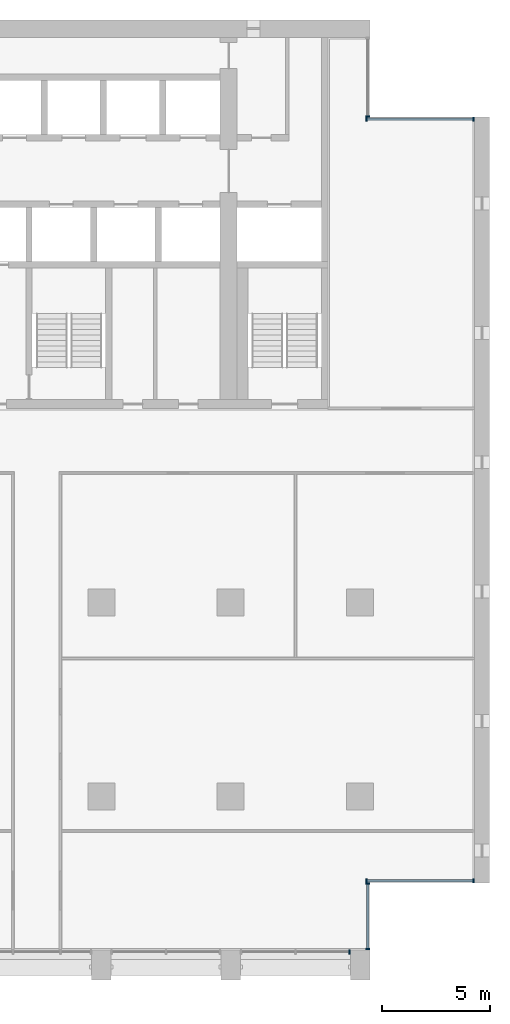
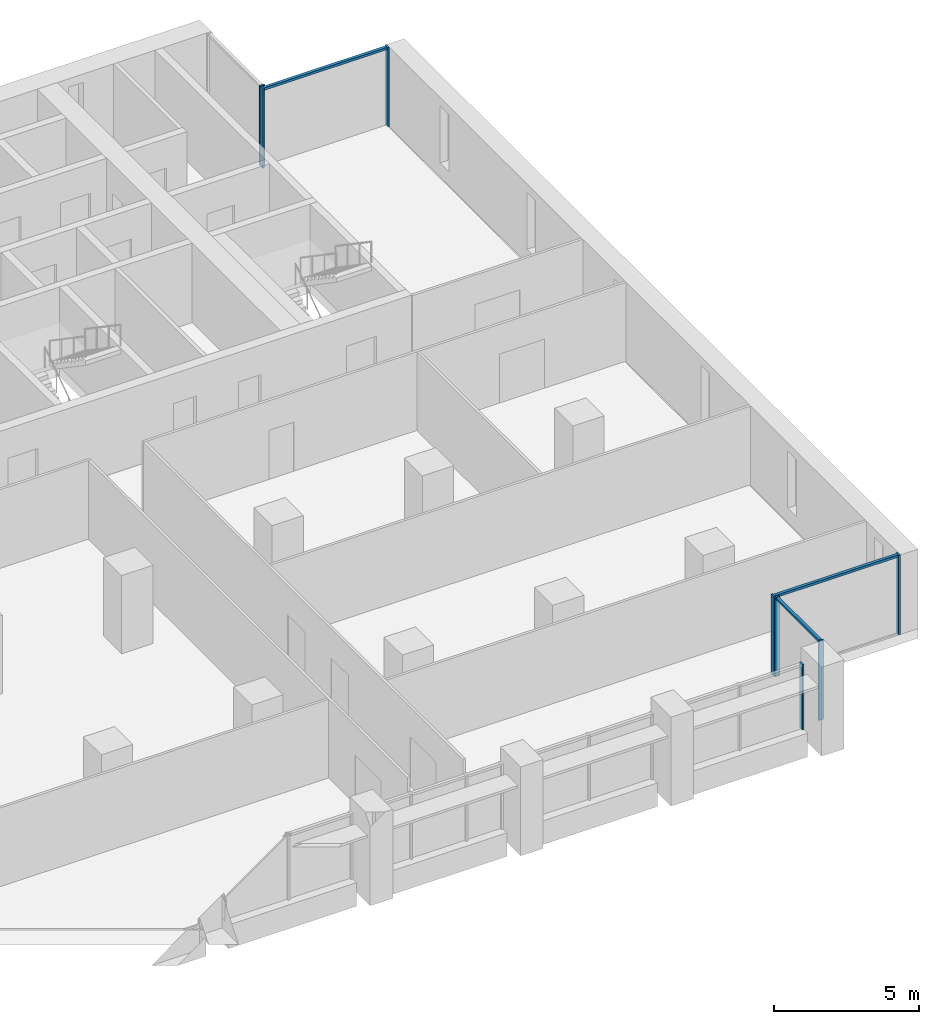
# One storey, part 5 of 16: 11 members, 5 elements without a shape of their own.
"""IFC4 building model written with IfcOpenShell, lengths in metres."""

import ifcopenshell
import ifcopenshell.guid

model = None  # the IFC model being written
_history = None  # IfcOwnerHistory: only IFC2X3 demands one
_inside = {}  # id of a spatial element -> (the spatial element, [elements in it])
_under = {}  # id of a project, library or spatial element -> (it, [spatial elements below it])
_declared = {}  # id of a project -> (the project, [libraries it declares])
_typed = {}  # id of a type object -> (the type object, [elements of that type])
_made_of = {}  # id of a material, layer set ... -> (it, [elements and type objects made of it])


def new_model(schema):
    """Start an empty IFC model of exactly this schema.

    Asked for "IFC4X3", IfcOpenShell would pick the latest addendum, in which some entities
    have other attributes; the version numbers below select the first issue.
    IFC2X3 requires an IfcOwnerHistory on every rooted entity: one is made here for all.
    """
    global model, _history
    if schema == "IFC4X3":
        model = ifcopenshell.file(schema_version=(4, 3, 0, 0))
    else:
        model = ifcopenshell.file(schema=schema)
    _inside.clear()
    _under.clear()
    _declared.clear()
    _typed.clear()
    _made_of.clear()
    _history = None
    if model.schema == "IFC2X3":
        org = make("IfcOrganization", Name="unknown")
        user = make(
            "IfcPersonAndOrganization",
            ThePerson=make("IfcPerson", FamilyName="unknown"),
            TheOrganization=org,
        )
        app = make(
            "IfcApplication",
            ApplicationDeveloper=org,
            Version="unknown",
            ApplicationFullName="unknown",
            ApplicationIdentifier="unknown",
        )
        _history = make(
            "IfcOwnerHistory",
            OwningUser=user,
            OwningApplication=app,
            ChangeAction="ADDED",
            CreationDate=0,
        )
    return model


def make(cls, **values):
    """One entity of the class cls with the attributes given. An attribute that is None is left unset."""
    return model.create_entity(
        cls, **{name: value for name, value in values.items() if value is not None}
    )


def rooted(cls, **values):
    """An entity with a GlobalId (a new one), such as an element, a storey or a relation."""
    return make(cls, GlobalId=ifcopenshell.guid.new(), OwnerHistory=_history, **values)


def si_unit(unit_type, name, prefix=None):
    """IfcSIUnit, for example si_unit("LENGTHUNIT", "METRE", prefix="MILLI")."""
    return make("IfcSIUnit", UnitType=unit_type, Prefix=prefix, Name=name)


def assignment(units):
    """IfcUnitAssignment: the units of a project."""
    return None if units is None else make("IfcUnitAssignment", Units=units)


def point(xyz):
    """IfcCartesianPoint."""
    return None if xyz is None else make("IfcCartesianPoint", Coordinates=xyz)


def direction(xyz):
    """IfcDirection."""
    return None if xyz is None else make("IfcDirection", DirectionRatios=xyz)


def frame(location, z_axis=None, x_axis=None):
    """IfcAxis2Placement3D, a coordinate frame: its origin and axes. An axis left out is left unset."""
    return make(
        "IfcAxis2Placement3D",
        Location=point(location),
        Axis=direction(z_axis),
        RefDirection=direction(x_axis),
    )


def frame_2d(location, x_axis=None):
    """IfcAxis2Placement2D, a coordinate frame in the plane: its origin and x axis."""
    return make(
        "IfcAxis2Placement2D", Location=point(location), RefDirection=direction(x_axis)
    )


def origin():
    """The frame at (0, 0, 0) with its axes left unset."""
    return frame((0.0, 0.0, 0.0))


def origin_2d():
    """The frame at (0, 0) in the plane with its x axis left unset."""
    return frame_2d((0.0, 0.0))


def place(relative_to, where):
    """IfcLocalPlacement: puts the frame where relative to a parent placement (None: the world)."""
    return make(
        "IfcLocalPlacement", PlacementRelTo=relative_to, RelativePlacement=where
    )


def context(
    kind, dimensions, precision=None, world=None, true_north=None, identifier=None
):
    """IfcGeometricRepresentationContext, for example the 3D "Model" context."""
    return make(
        "IfcGeometricRepresentationContext",
        ContextIdentifier=identifier,
        ContextType=kind,
        CoordinateSpaceDimension=dimensions,
        Precision=precision,
        WorldCoordinateSystem=world,
        TrueNorth=true_north,
    )


def subcontext(parent, identifier, kind, view, scale=None):
    """IfcGeometricRepresentationSubContext, for example "Body" below "Model"."""
    return make(
        "IfcGeometricRepresentationSubContext",
        ContextIdentifier=identifier,
        ContextType=kind,
        ParentContext=parent,
        TargetScale=scale,
        TargetView=view,
    )


def project(units=None, contexts=None):
    """IfcProject with its units and contexts."""
    return rooted(
        "IfcProject",
        Name="project",
        RepresentationContexts=contexts,
        UnitsInContext=assignment(units),
    )


def spatial(cls, under=None, at=None, **own):
    """A site, building, storey or space (cls), placed at a placement, below another one or the project."""
    s = rooted(cls, ObjectPlacement=at, **own)
    if under is not None:
        _under.setdefault(under.id(), (under, []))[1].append(s)
    return s


def profile(cls, at=None, kind="AREA", **sizes):
    """A parametric profile (cls). Its sizes go by their IFC names, for example OverallWidth=200.0."""
    return make(cls, ProfileType=kind, Position=at, **sizes)


def rectangle(**sizes):
    """IfcRectangleProfileDef."""
    return profile("IfcRectangleProfileDef", **sizes)


def extrude(swept, where, along, depth):
    """IfcExtrudedAreaSolid: the profile swept, set in the frame where, extruded along a direction by depth."""
    return make(
        "IfcExtrudedAreaSolid",
        SweptArea=swept,
        Position=where,
        ExtrudedDirection=direction(along),
        Depth=depth,
    )


def shape(context_of_items, identifier, shape_type, items):
    """IfcShapeRepresentation: the items that make up one representation, for example the "Body"."""
    return make(
        "IfcShapeRepresentation",
        ContextOfItems=context_of_items,
        RepresentationIdentifier=identifier,
        RepresentationType=shape_type,
        Items=items,
    )


def material(Name=None, Category=None):
    """IfcMaterial."""
    return make("IfcMaterial", Name=Name, Category=Category)


def material_profile(
    of_material, cross_section, Name=None, Category=None, Priority=None
):
    """IfcMaterialProfile: a cross section and its material."""
    return make(
        "IfcMaterialProfile",
        Name=Name,
        Material=of_material,
        Profile=cross_section,
        Priority=Priority,
        Category=Category,
    )


def profile_set(profiles, Name=None, composite=None):
    """IfcMaterialProfileSet."""
    return make(
        "IfcMaterialProfileSet",
        Name=Name,
        MaterialProfiles=profiles,
        CompositeProfile=composite,
    )


def made_of(thing, what):
    """Note that an element or type object is made of a material, layer set ...; save() writes the relation."""
    if what is not None:
        _made_of.setdefault(what.id(), (what, []))[1].append(thing)
    return thing


def type_object(cls, material=None, **own):
    """A type object (cls), such as IfcWallType, which elements share."""
    return made_of(rooted(cls, **own), material)


def element(
    cls,
    number,
    at=None,
    inside=None,
    cuts=None,
    type_object=None,
    material=None,
    context=None,
    identifier="Body",
    shape_type=None,
    held_by="IfcProductDefinitionShape",
    body=None,
    shapes=None,
    **own,
):
    """One element of the class cls, such as IfcWall. Its Tag is "e" and its number.

    at: its placement. inside: the storey or other place that contains it. cuts: it is an
    opening in that element (IfcRelVoidsElement). A single representation is given by context,
    identifier, shape_type and body (its items); several are given by shapes. held_by: the class
    of the entity that holds the representations. save() writes the other relations.
    """
    e = rooted(cls, Tag="e%d" % number, ObjectPlacement=at, **own)
    if body is not None:
        shapes = [shape(context, identifier, shape_type, body)]
    if shapes is not None:
        e.Representation = make(held_by, Representations=shapes)
    if inside is not None:
        _inside.setdefault(inside.id(), (inside, []))[1].append(e)
    if cuts is not None:
        rooted(
            "IfcRelVoidsElement", RelatingBuildingElement=cuts, RelatedOpeningElement=e
        )
    if type_object is not None:
        _typed.setdefault(type_object.id(), (type_object, []))[1].append(e)
    return made_of(e, material)


def aggregate(whole, parts):
    """IfcRelAggregates: a whole, such as a stair, and the parts it consists of."""
    return rooted("IfcRelAggregates", RelatingObject=whole, RelatedObjects=parts)


def save(model, path):
    """Write the relations noted so far, then the file.

    IfcRelAggregates (storeys below a building ...), IfcRelContainedInSpatialStructure (elements
    in a storey), IfcRelDefinesByType, IfcRelAssociatesMaterial and IfcRelDeclares: one each for
    every whole, place, type object, material and project.
    """
    for whole, parts in _under.values():
        aggregate(whole, parts)
    for where, things in _inside.values():
        rooted(
            "IfcRelContainedInSpatialStructure",
            RelatedElements=things,
            RelatingStructure=where,
        )
    for kind, things in _typed.values():
        rooted("IfcRelDefinesByType", RelatedObjects=things, RelatingType=kind)
    for what, things in _made_of.values():
        rooted("IfcRelAssociatesMaterial", RelatedObjects=things, RelatingMaterial=what)
    for by, libraries in _declared.values():
        rooted("IfcRelDeclares", RelatingContext=by, RelatedDefinitions=libraries)
    model.write(path)


model = new_model("IFC4")

# Units and contexts
model_context = context("Model", 3, precision=1e-05, world=origin(), true_north=direction((0.0, 1.0)))
body_context = subcontext(model_context, "Body", "Model", "MODEL_VIEW")
ifc_project = project(units=[si_unit("LENGTHUNIT", "METRE"), si_unit("AREAUNIT", "SQUARE_METRE"), si_unit("VOLUMEUNIT", "CUBIC_METRE"), si_unit("PLANEANGLEUNIT", "RADIAN"), si_unit("MASSUNIT", "GRAM", prefix="KILO")], contexts=[model_context])

# Site, building, storey
site_placement = place(None, origin())
site = spatial("IfcSite", under=ifc_project, at=site_placement, CompositionType="ELEMENT")
building_placement = place(site_placement, origin())
building = spatial("IfcBuilding", under=site, at=building_placement, Name="Calvaro Tower", CompositionType="ELEMENT")
storey_placement = place(building_placement, frame((0.0, 0.0, 140.0)))
storey = spatial("IfcBuildingStorey", under=building, at=storey_placement, Name="L35", CompositionType="ELEMENT", Elevation=140.0)

# Curtain wall, member
ifc_material_1 = material(Name="Anodised aluminium", Category="aluminium")
curtain_wall_type = type_object("IfcCurtainWallType", Name="Office curtain wall, middle zone", PredefinedType="NOTDEFINED", material=ifc_material_1)
curtain_wall_1_placement = place(storey_placement, origin())
curtain_wall_1 = element("IfcCurtainWall", 1, at=curtain_wall_1_placement, inside=storey, type_object=curtain_wall_type, Name="CW2 south curtain wall", PredefinedType="NOTDEFINED")
ifc_material_2 = material(Name="Anodised aluminium", Category="aluminium")
ifc_material_profile_1 = material_profile(ifc_material_2, rectangle(XDim=0.199951171875, YDim=0.070068359375, at=origin_2d()), Name="Mullion S2 70 x 200")
ifc_profile_set_1 = profile_set([ifc_material_profile_1], Name="Anodised aluminium")
member_type_1 = type_object("IfcMemberType", Name="Mullion S2 70 x 200", PredefinedType="MULLION", material=ifc_profile_set_1)
member_1_placement = place(storey_placement, frame((65.514892578125, 2.800048828125, 0.0), z_axis=(0.0, 0.0, 1.0), x_axis=(0.0, 1.0, 0.0)))
member_1 = element("IfcMember", 2, at=member_1_placement, type_object=member_type_1, Name="CW2 mullion 3", PredefinedType="MULLION", context=body_context, shape_type="SweptSolid", body=[
    extrude(rectangle(XDim=0.199951171875, YDim=0.070068359375, at=origin_2d()), origin(), (0.0, 0.0, 1.0), 2.75),
])
aggregate(curtain_wall_1, [member_1])

# Curtain wall, members
curtain_wall_2_placement = place(storey_placement, origin())
curtain_wall_2 = element("IfcCurtainWall", 3, at=curtain_wall_2_placement, inside=storey, type_object=curtain_wall_type, Name="CW2 corner curtain wall", PredefinedType="NOTDEFINED")
member_2_placement = place(storey_placement, frame((66.35009765625, 2.93505859375, 0.0), z_axis=(0.0, 0.0, 1.0), x_axis=(-1.0, 0.0, 0.0)))
member_2 = element("IfcMember", 4, at=member_2_placement, type_object=member_type_1, Name="CW2 mullion 1", PredefinedType="MULLION", context=body_context, shape_type="SweptSolid", body=[
    extrude(rectangle(XDim=0.199951171875, YDim=0.070068359375, at=origin_2d()), origin(), (0.0, 0.0, 1.0), 3.35009765625),
])
member_3_placement = place(storey_placement, frame((66.35009765625, 5.965087890625, 0.0), z_axis=(0.0, 0.0, 1.0), x_axis=(-1.0, 0.0, 0.0)))
member_3 = element("IfcMember", 5, at=member_3_placement, type_object=member_type_1, Name="CW2 mullion 2", PredefinedType="MULLION", context=body_context, shape_type="SweptSolid", body=[
    extrude(rectangle(XDim=0.199951171875, YDim=0.070068359375, at=origin_2d()), origin(), (0.0, 0.0, 1.0), 3.35009765625),
])

curtain_wall_3_placement = place(storey_placement, origin())
curtain_wall_3 = element("IfcCurtainWall", 6, at=curtain_wall_3_placement, inside=storey, type_object=curtain_wall_type, Name="CW2 corner curtain wall", PredefinedType="NOTDEFINED")
member_4_placement = place(storey_placement, frame((66.284912109375, 6.10009765625, 0.0), z_axis=(0.0, 0.0, 1.0), x_axis=(0.0, 1.0, 0.0)))
member_4 = element("IfcMember", 7, at=member_4_placement, type_object=member_type_1, Name="CW2 mullion 1", PredefinedType="MULLION", context=body_context, shape_type="SweptSolid", body=[
    extrude(rectangle(XDim=0.199951171875, YDim=0.070068359375, at=origin_2d()), origin(), (0.0, 0.0, 1.0), 3.35009765625),
])
member_5_placement = place(storey_placement, frame((71.264892578125, 6.10009765625, 0.0), z_axis=(0.0, 0.0, 1.0), x_axis=(0.0, 1.0, 0.0)))
member_5 = element("IfcMember", 8, at=member_5_placement, type_object=member_type_1, Name="CW2 mullion 2", PredefinedType="MULLION", context=body_context, shape_type="SweptSolid", body=[
    extrude(rectangle(XDim=0.199951171875, YDim=0.070068359375, at=origin_2d()), origin(), (0.0, 0.0, 1.0), 3.35009765625),
])

# Curtain wall, member
curtain_wall_4_placement = place(storey_placement, origin())
curtain_wall_4 = element("IfcCurtainWall", 9, at=curtain_wall_4_placement, inside=storey, type_object=curtain_wall_type, Name="CW2 corner curtain wall", PredefinedType="NOTDEFINED")
member_6_placement = place(storey_placement, frame((66.35009765625, 41.534912109375, 0.0), z_axis=(0.0, 0.0, 1.0), x_axis=(-1.0, 0.0, 0.0)))
member_6 = element("IfcMember", 10, at=member_6_placement, type_object=member_type_1, Name="CW2 mullion 1", PredefinedType="MULLION", context=body_context, shape_type="SweptSolid", body=[
    extrude(rectangle(XDim=0.199951171875, YDim=0.070068359375, at=origin_2d()), origin(), (0.0, 0.0, 1.0), 3.35009765625),
])
aggregate(curtain_wall_4, [member_6])

# Curtain wall, members
curtain_wall_5_placement = place(storey_placement, origin())
curtain_wall_5 = element("IfcCurtainWall", 11, at=curtain_wall_5_placement, inside=storey, type_object=curtain_wall_type, Name="CW2 corner curtain wall", PredefinedType="NOTDEFINED")
member_7_placement = place(storey_placement, frame((66.284912109375, 41.39990234375, 0.0), z_axis=(0.0, 0.0, 1.0), x_axis=(0.0, 1.0, 0.0)))
member_7 = element("IfcMember", 12, at=member_7_placement, type_object=member_type_1, Name="CW2 mullion 1", PredefinedType="MULLION", context=body_context, shape_type="SweptSolid", body=[
    extrude(rectangle(XDim=0.199951171875, YDim=0.070068359375, at=origin_2d()), origin(), (0.0, 0.0, 1.0), 3.35009765625),
])
member_8_placement = place(storey_placement, frame((71.264892578125, 41.39990234375, 0.0), z_axis=(0.0, 0.0, 1.0), x_axis=(0.0, 1.0, 0.0)))
member_8 = element("IfcMember", 13, at=member_8_placement, type_object=member_type_1, Name="CW2 mullion 2", PredefinedType="MULLION", context=body_context, shape_type="SweptSolid", body=[
    extrude(rectangle(XDim=0.199951171875, YDim=0.070068359375, at=origin_2d()), origin(), (0.0, 0.0, 1.0), 3.35009765625),
])

# Member
ifc_material_3 = material(Name="Anodised aluminium", Category="aluminium")
ifc_material_profile_2 = material_profile(ifc_material_3, rectangle(XDim=0.1201171875, YDim=0.10009765625, at=origin_2d()), Name="Transom S2 100 x 120")
ifc_profile_set_2 = profile_set([ifc_material_profile_2], Name="Anodised aluminium")
member_type_2 = type_object("IfcMemberType", Name="Transom S2 100 x 120", PredefinedType="USERDEFINED", material=ifc_profile_set_2)
member_9_placement = place(storey_placement, frame((66.35009765625, 2.969970703125, 3.300048828125), z_axis=(0.0, 1.0, 0.0), x_axis=(-1.0, 0.0, 0.0)))
member_9 = element("IfcMember", 14, at=member_9_placement, type_object=member_type_2, Name="CW2 transom 1.1", ObjectType="TRANSOM", PredefinedType="USERDEFINED", context=body_context, shape_type="SweptSolid", body=[
    extrude(rectangle(XDim=0.1201171875, YDim=0.10009765625, at=origin_2d()), origin(), (0.0, 0.0, 1.0), 2.9599609375),
])

aggregate(curtain_wall_2, [member_2, member_3, member_9])

member_10_placement = place(storey_placement, frame((66.320068359375, 6.10009765625, 3.300048828125), z_axis=(1.0, 0.0, 0.0), x_axis=(0.0, 1.0, 0.0)))
member_10 = element("IfcMember", 15, at=member_10_placement, type_object=member_type_2, Name="CW2 transom 1.1", ObjectType="TRANSOM", PredefinedType="USERDEFINED", context=body_context, shape_type="SweptSolid", body=[
    extrude(rectangle(XDim=0.1201171875, YDim=0.10009765625, at=origin_2d()), origin(), (0.0, 0.0, 1.0), 4.909912109375),
])

aggregate(curtain_wall_3, [member_4, member_5, member_10])

member_11_placement = place(storey_placement, frame((66.320068359375, 41.39990234375, 3.300048828125), z_axis=(1.0, 0.0, 0.0), x_axis=(0.0, 1.0, 0.0)))
member_11 = element("IfcMember", 16, at=member_11_placement, type_object=member_type_2, Name="CW2 transom 1.1", ObjectType="TRANSOM", PredefinedType="USERDEFINED", context=body_context, shape_type="SweptSolid", body=[
    extrude(rectangle(XDim=0.1201171875, YDim=0.10009765625, at=origin_2d()), origin(), (0.0, 0.0, 1.0), 4.909912109375),
])

aggregate(curtain_wall_5, [member_7, member_8, member_11])

save(model, "model.ifc")
